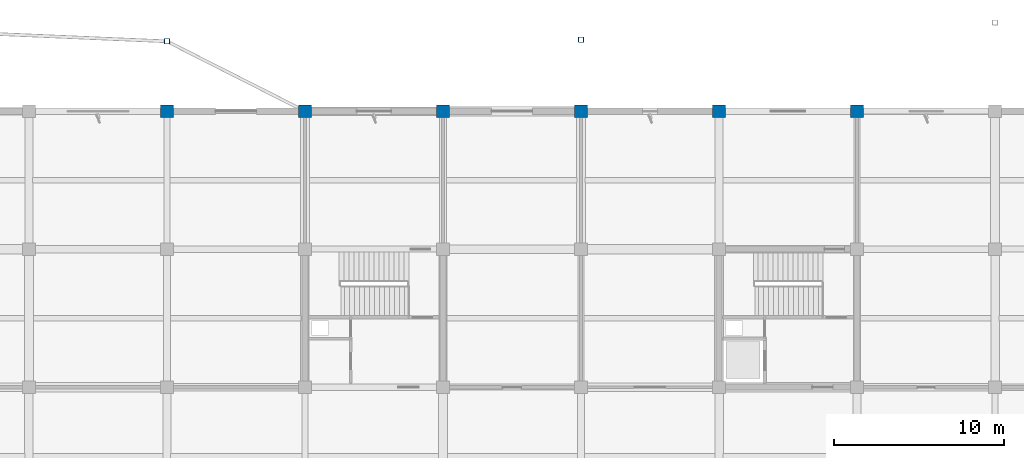
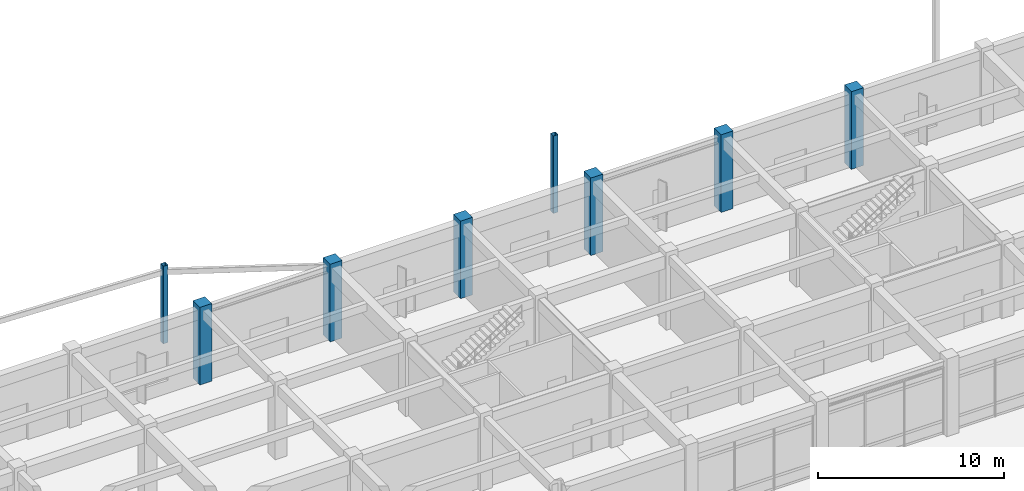
# One storey, part 19 of 99: 8 columns.
"""IFC4 building model written with IfcOpenShell, lengths in metres."""

from ifc_helpers import new_model, si_unit, direction, frame, origin, origin_2d, place, context, subcontext, project, spatial, rectangle, hollow_rectangle, extrude, material, material_profile, profile_set, type_object, element, save


model = new_model("IFC4")

# Units and contexts
model_context = context("Model", 3, precision=1e-05, world=origin(), true_north=direction((0.0, 1.0)))
body_context = subcontext(model_context, "Body", "Model", "MODEL_VIEW")
ifc_project = project(units=[si_unit("LENGTHUNIT", "METRE"), si_unit("AREAUNIT", "SQUARE_METRE"), si_unit("VOLUMEUNIT", "CUBIC_METRE"), si_unit("PLANEANGLEUNIT", "RADIAN"), si_unit("MASSUNIT", "GRAM", prefix="KILO")], contexts=[model_context])

# Site, building, storey
site_placement = place(None, origin())
site = spatial("IfcSite", under=ifc_project, at=site_placement, CompositionType="ELEMENT")
building_placement = place(site_placement, origin())
building = spatial("IfcBuilding", under=site, at=building_placement, Name="Vaudrelin Polytechnic", CompositionType="ELEMENT")
storey_placement = place(building_placement, origin())
storey = spatial("IfcBuildingStorey", under=building, at=storey_placement, Name="L00", CompositionType="ELEMENT", Elevation=0.0)

# Columns
ifc_material_1 = material(Name="Steel CSA G40.21 350WT", Category="steel")
ifc_material_profile_1 = material_profile(ifc_material_1, hollow_rectangle(XDim=0.304931640625, YDim=0.304931640625, WallThickness=0.0126953125, InnerFilletRadius=0.0126953125, OuterFilletRadius=0.025390625, at=origin_2d()), Name="HSS305x305x12.7")
ifc_profile_set_1 = profile_set([ifc_material_profile_1], Name="Steel CSA G40.21 350WT")
column_type_1 = type_object("IfcColumnType", Name="COL-C-HSS305", PredefinedType="COLUMN", material=ifc_profile_set_1)
for number, where, z_axis, x_axis, name in (
    (1, (48.60009765625, 125.60009765625, 0.0), (0.0, 0.0, 1.0), (1.0, 0.0, 0.0), "Deconstructivist column L00 N_OR1_2"),
    (2, (72.89990234375, 125.699951171875, 0.0), (0.0, 0.0, 1.0), (1.0, 0.0, 0.0), "Deconstructivist column L00 N_OR2_1"),
):
    element("IfcColumn", number, at=place(storey_placement, frame(where, z_axis=z_axis, x_axis=x_axis)), inside=storey, type_object=column_type_1, Name=name, PredefinedType="COLUMN", context=body_context, shape_type="SweptSolid", body=[
        extrude(hollow_rectangle(XDim=0.304931640625, YDim=0.304931640625, WallThickness=0.0126953125, InnerFilletRadius=0.0126953125, OuterFilletRadius=0.025390625, at=origin_2d()), origin(), (0.0, 0.0, 1.0), 5.10009765625),
    ])
ifc_material_2 = material(Name="Concrete 50 MPa", Category="concrete")
ifc_material_profile_2 = material_profile(ifc_material_2, rectangle(XDim=0.75, YDim=0.75, at=origin_2d()), Name="RC750x750")
ifc_profile_set_2 = profile_set([ifc_material_profile_2], Name="Concrete 50 MPa")
column_type_2 = type_object("IfcColumnType", Name="COL-C-RC750", PredefinedType="COLUMN", material=ifc_profile_set_2)
for number, where, z_axis, x_axis, name in (
    (3, (48.60009765625, 121.5, 0.0), (0.0, 0.0, 1.0), (1.0, 0.0, 0.0), "Column L00 7-16"),
    (4, (56.699951171875, 121.5, 0.0), (0.0, 0.0, 1.0), (1.0, 0.0, 0.0), "Column L00 8-16"),
    (5, (64.800048828125, 121.5, 0.0), (0.0, 0.0, 1.0), (1.0, 0.0, 0.0), "Column L00 9-16"),
    (6, (72.89990234375, 121.5, 0.0), (0.0, 0.0, 1.0), (1.0, 0.0, 0.0), "Column L00 10-16"),
    (7, (81.0, 121.5, 0.0), (0.0, 0.0, 1.0), (1.0, 0.0, 0.0), "Column L00 11-16"),
    (8, (89.10009765625, 121.5, 0.0), (0.0, 0.0, 1.0), (1.0, 0.0, 0.0), "Column L00 12-16"),
):
    element("IfcColumn", number, at=place(storey_placement, frame(where, z_axis=z_axis, x_axis=x_axis)), inside=storey, type_object=column_type_2, Name=name, PredefinedType="COLUMN", context=body_context, shape_type="SweptSolid", body=[
        extrude(rectangle(XDim=0.75, YDim=0.75, at=origin_2d()), origin(), (0.0, 0.0, 1.0), 5.10009765625),
    ])

save(model, "model.ifc")
